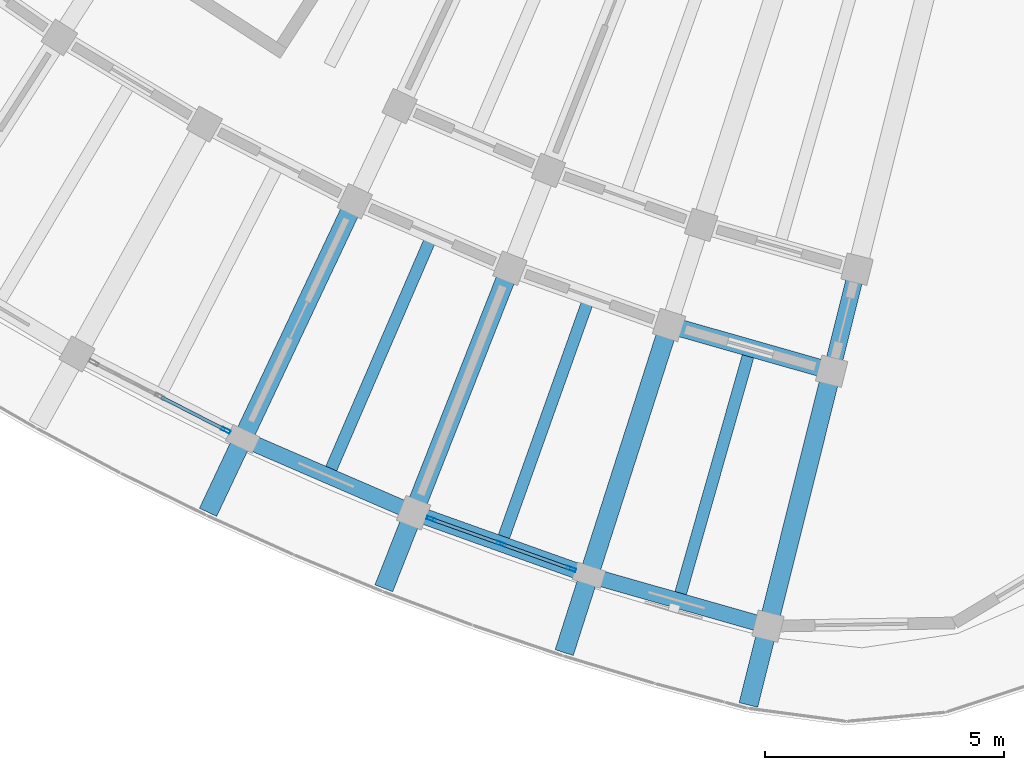
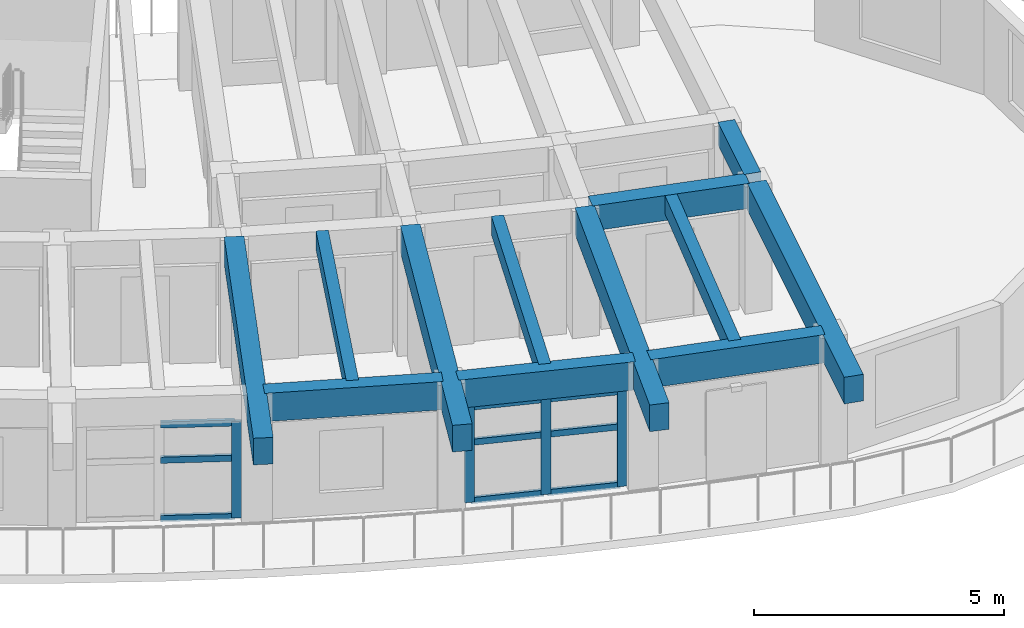
# One storey, part 8 of 96: 13 members, 12 beams, 2 elements without a shape of their own.
"""IFC4 building model written with IfcOpenShell, lengths in metres."""

from ifc_helpers import new_model, si_unit, direction, frame, origin, origin_2d, place, context, subcontext, project, spatial, rectangle, hollow_rectangle, extrude, material, material_profile, profile_set, type_object, element, aggregate, save


model = new_model("IFC4")

# Units and contexts
model_context = context("Model", 3, precision=1e-05, world=origin(), true_north=direction((0.0, 1.0)))
body_context = subcontext(model_context, "Body", "Model", "MODEL_VIEW")
ifc_project = project(units=[si_unit("LENGTHUNIT", "METRE"), si_unit("AREAUNIT", "SQUARE_METRE"), si_unit("VOLUMEUNIT", "CUBIC_METRE"), si_unit("PLANEANGLEUNIT", "RADIAN"), si_unit("MASSUNIT", "GRAM", prefix="KILO")], contexts=[model_context])

# Site, building, storey
site_placement = place(None, origin())
site = spatial("IfcSite", under=ifc_project, at=site_placement, CompositionType="ELEMENT")
building_placement = place(site_placement, origin())
building = spatial("IfcBuilding", under=site, at=building_placement, Name="Tanwirah Colonnade Gardens", CompositionType="ELEMENT")
storey_placement = place(building_placement, frame((0.0, 0.0, 12.199951171875)))
storey = spatial("IfcBuildingStorey", under=building, at=storey_placement, Name="L03", CompositionType="ELEMENT", Elevation=12.199951171875)

# Beams
ifc_material_1 = material(Name="Precast concrete C40/50", Category="concrete")
ifc_material_profile_1 = material_profile(ifc_material_1, rectangle(XDim=0.360107421875, YDim=0.610107421875, at=origin_2d()), Name="PC-BM 360x610")
ifc_profile_set_1 = profile_set([ifc_material_profile_1], Name="Precast concrete C40/50")
beam_type_1 = type_object("IfcBeamType", Name="BM-PC300", PredefinedType="BEAM", material=ifc_profile_set_1)
beam_1_placement = place(storey_placement, frame((48.666259765625, 12.98193359375, 2.800048828125), z_axis=(0.96185623635, -0.273555443366, 0.0), x_axis=(0.273555443366, 0.96185623635, 0.0)))
element("IfcBeam", 1, at=beam_1_placement, inside=storey, type_object=beam_type_1, Name="Block C L03 Circumferential Beam 15-R2", PredefinedType="BEAM", context=body_context, shape_type="SweptSolid", body=[
    extrude(rectangle(XDim=0.360107421875, YDim=0.610107421875, at=origin_2d()), origin(), (0.0, 0.0, 1.0), 3.237060546875),
])
ifc_material_profile_2 = material_profile(ifc_material_1, rectangle(XDim=0.35009765625, YDim=0.550048828125, at=origin_2d()), Name="PC-BM 350x550")
ifc_profile_set_2 = profile_set([ifc_material_profile_2], Name="Precast concrete C40/50")
beam_type_2 = type_object("IfcBeamType", Name="BM-PC350A", PredefinedType="BEAM", material=ifc_profile_set_2)
beam_2_placement = place(storey_placement, frame((52.420166015625, 14.044677734375, 2.830078125), z_axis=(-0.241961122321, -0.970285945114, 0.0), x_axis=(0.970285945114, -0.241961122321, 0.0)))
element("IfcBeam", 2, at=beam_2_placement, inside=storey, type_object=beam_type_2, Name="Block C L03 Corridor Tie Beam 16", PredefinedType="BEAM", context=body_context, shape_type="SweptSolid", body=[
    extrude(rectangle(XDim=0.35009765625, YDim=0.550048828125, at=origin_2d()), origin(), (0.0, 0.0, 1.0), 1.89990234375),
])
ifc_material_2 = material(Name="Precast concrete C45/55", Category="concrete")
ifc_material_profile_3 = material_profile(ifc_material_2, rectangle(XDim=0.39990234375, YDim=0.64990234375, at=origin_2d()), Name="PC-BM 400x650")
ifc_profile_set_3 = profile_set([ifc_material_profile_3], Name="Precast concrete C45/55")
beam_type_3 = type_object("IfcBeamType", Name="BM-PC400", PredefinedType="BEAM", material=ifc_profile_set_3)
for number, where, z_axis, x_axis, name in (
    (3, (41.8798828125, 15.478515625, 2.780029296875), (-0.426567365945, -0.904455793453, 0.0), (0.904455793453, -0.426567365945, 0.0), "Block C L03 Outer Radial Precast Girder 13"),
    (4, (45.1357421875, 14.0712890625, 2.780029296875), (-0.366525426804, -0.930408034953, 0.0), (0.930408034953, -0.366525426804, 0.0), "Block C L03 Outer Radial Precast Girder 14"),
    (5, (48.476318359375, 12.880126953125, 2.780029296875), (-0.304849862001, -0.952400420851, 0.0), (0.952400420851, -0.304849862001, 0.0), "Block C L03 Outer Radial Precast Girder 15"),
    (6, (51.887939453125, 11.909912109375, 2.780029296875), (-0.241924461086, -0.970295086625, 0.0), (0.970295086625, -0.241924461086, 0.0), "Block C L03 Outer Radial Precast Girder 16"),
):
    element("IfcBeam", number, at=place(storey_placement, frame(where, z_axis=z_axis, x_axis=x_axis)), inside=storey, type_object=beam_type_3, Name=name, PredefinedType="BEAM", context=body_context, shape_type="SweptSolid", body=[
        extrude(rectangle(XDim=0.39990234375, YDim=0.64990234375, at=origin_2d()), origin(), (0.0, 0.0, 1.0), 7.050048828125),
    ])

# Curtain wall, member
ifc_material_3 = material(Name="Bronze-anodised aluminium and solar-control low-E glass", Category="aluminium")
curtain_wall_type = type_object("IfcCurtainWallType", Name="CW-LOB", PredefinedType="NOTDEFINED", material=ifc_material_3)
curtain_wall_1_placement = place(storey_placement, origin())
curtain_wall_1 = element("IfcCurtainWall", 7, at=curtain_wall_1_placement, inside=storey, type_object=curtain_wall_type, Name="Curtain Wall CW-C-L03-OUT-12", PredefinedType="NOTDEFINED")
ifc_material_4 = material(Name="Bronze-anodised aluminium", Category="aluminium")
ifc_material_profile_4 = material_profile(ifc_material_4, hollow_rectangle(XDim=0.070068359375, YDim=0.199951171875, WallThickness=0.00390625, at=origin_2d()), Name="CW-MUL 70x200x4")
ifc_profile_set_4 = profile_set([ifc_material_profile_4], Name="Bronze-anodised aluminium")
member_type_1 = type_object("IfcMemberType", Name="CWM-70x200", PredefinedType="MULLION", material=ifc_profile_set_4)
member_1_placement = place(storey_placement, frame((39.246337890625, 10.81982421875, 0.0), z_axis=(0.0, 0.0, 1.0), x_axis=(0.455932978269, 0.890014111869, 0.0)))
member_1 = element("IfcMember", 8, at=member_1_placement, type_object=member_type_1, Name="CW-LOB mullion 3", PredefinedType="MULLION", context=body_context, shape_type="SweptSolid", body=[
    extrude(hollow_rectangle(XDim=0.070068359375, YDim=0.199951171875, WallThickness=0.00390625, at=origin_2d()), origin(), (0.0, 0.0, 1.0), 2.35498046875),
])

# Curtain wall, members
curtain_wall_2_placement = place(storey_placement, origin())
curtain_wall_2 = element("IfcCurtainWall", 9, at=curtain_wall_2_placement, inside=storey, type_object=curtain_wall_type, Name="Curtain Wall CW-C-L03-OUT-14", PredefinedType="NOTDEFINED")
member_2_placement = place(storey_placement, frame((43.546875, 8.9609375, 0.0), z_axis=(0.0, 0.0, 1.0), x_axis=(0.335862164333, 0.941911145793, 0.0)))
member_2 = element("IfcMember", 10, at=member_2_placement, type_object=member_type_1, Name="CW-LOB mullion 1", PredefinedType="MULLION", context=body_context, shape_type="SweptSolid", body=[
    extrude(hollow_rectangle(XDim=0.070068359375, YDim=0.199951171875, WallThickness=0.00390625, at=origin_2d()), origin(), (0.0, 0.0, 1.0), 2.35498046875),
])
member_3_placement = place(storey_placement, frame((45.010009765625, 8.439208984375, 0.0), z_axis=(0.0, 0.0, 1.0), x_axis=(0.335862164333, 0.941911145793, 0.0)))
member_3 = element("IfcMember", 11, at=member_3_placement, type_object=member_type_1, Name="CW-LOB mullion 2", PredefinedType="MULLION", context=body_context, shape_type="SweptSolid", body=[
    extrude(hollow_rectangle(XDim=0.070068359375, YDim=0.199951171875, WallThickness=0.00390625, at=origin_2d()), origin(), (0.0, 0.0, 1.0), 2.35498046875),
])
member_4_placement = place(storey_placement, frame((46.473388671875, 7.91748046875, 0.0), z_axis=(0.0, 0.0, 1.0), x_axis=(0.335862164333, 0.941911145793, 0.0)))
member_4 = element("IfcMember", 12, at=member_4_placement, type_object=member_type_1, Name="CW-LOB mullion 3", PredefinedType="MULLION", context=body_context, shape_type="SweptSolid", body=[
    extrude(hollow_rectangle(XDim=0.070068359375, YDim=0.199951171875, WallThickness=0.00390625, at=origin_2d()), origin(), (0.0, 0.0, 1.0), 2.35498046875),
])

# Member
ifc_material_profile_5 = material_profile(ifc_material_4, hollow_rectangle(XDim=0.070068359375, YDim=0.14990234375, WallThickness=0.00390625, at=origin_2d()), Name="CW-TRN 70x150x4")
ifc_profile_set_5 = profile_set([ifc_material_profile_5], Name="Bronze-anodised aluminium")
member_type_2 = type_object("IfcMemberType", Name="CWT-70x150", PredefinedType="USERDEFINED", material=ifc_profile_set_5)
member_5_placement = place(storey_placement, frame((37.894775390625, 11.51220703125, 0.03515625), z_axis=(0.889973324591, -0.456012589209, 0.0), x_axis=(0.456012589209, 0.889973324591, 0.0)))
member_5 = element("IfcMember", 13, at=member_5_placement, type_object=member_type_2, Name="CW-LOB transom 2.1", ObjectType="TRANSOM", PredefinedType="USERDEFINED", context=body_context, shape_type="SweptSolid", body=[
    extrude(hollow_rectangle(XDim=0.070068359375, YDim=0.14990234375, WallThickness=0.00390625, at=origin_2d()), origin(), (0.0, 0.0, 1.0), 1.483642578125),
])

member_6_placement = place(storey_placement, frame((37.894775390625, 11.51220703125, 1.460205078125), z_axis=(0.889973324591, -0.456012589209, 0.0), x_axis=(0.456012589209, 0.889973324591, 0.0)))
member_6 = element("IfcMember", 14, at=member_6_placement, type_object=member_type_2, Name="CW-LOB transom 2.2", ObjectType="TRANSOM", PredefinedType="USERDEFINED", context=body_context, shape_type="SweptSolid", body=[
    extrude(hollow_rectangle(XDim=0.070068359375, YDim=0.14990234375, WallThickness=0.00390625, at=origin_2d()), origin(), (0.0, 0.0, 1.0), 1.483642578125),
])

member_7_placement = place(storey_placement, frame((37.894775390625, 11.51220703125, 2.320068359375), z_axis=(0.889973324591, -0.456012589209, 0.0), x_axis=(0.456012589209, 0.889973324591, 0.0)))
member_7 = element("IfcMember", 15, at=member_7_placement, type_object=member_type_2, Name="CW-LOB transom 2.3", ObjectType="TRANSOM", PredefinedType="USERDEFINED", context=body_context, shape_type="SweptSolid", body=[
    extrude(hollow_rectangle(XDim=0.070068359375, YDim=0.14990234375, WallThickness=0.00390625, at=origin_2d()), origin(), (0.0, 0.0, 1.0), 1.483642578125),
])

aggregate(curtain_wall_1, [member_1, member_5, member_6, member_7])

member_8_placement = place(storey_placement, frame((43.579833984375, 8.94921875, 0.03515625), z_axis=(0.941894479796, -0.335908899749, 0.0), x_axis=(0.335908899749, 0.941894479796, 0.0)))
member_8 = element("IfcMember", 16, at=member_8_placement, type_object=member_type_2, Name="CW-LOB transom 1.1", ObjectType="TRANSOM", PredefinedType="USERDEFINED", context=body_context, shape_type="SweptSolid", body=[
    extrude(hollow_rectangle(XDim=0.070068359375, YDim=0.14990234375, WallThickness=0.00390625, at=origin_2d()), origin(), (0.0, 0.0, 1.0), 1.4833984375),
])

member_9_placement = place(storey_placement, frame((43.579833984375, 8.94921875, 1.460205078125), z_axis=(0.941894479796, -0.335908899749, 0.0), x_axis=(0.335908899749, 0.941894479796, 0.0)))
member_9 = element("IfcMember", 17, at=member_9_placement, type_object=member_type_2, Name="CW-LOB transom 1.2", ObjectType="TRANSOM", PredefinedType="USERDEFINED", context=body_context, shape_type="SweptSolid", body=[
    extrude(hollow_rectangle(XDim=0.070068359375, YDim=0.14990234375, WallThickness=0.00390625, at=origin_2d()), origin(), (0.0, 0.0, 1.0), 1.4833984375),
])

member_10_placement = place(storey_placement, frame((43.579833984375, 8.94921875, 2.320068359375), z_axis=(0.941894479796, -0.335908899749, 0.0), x_axis=(0.335908899749, 0.941894479796, 0.0)))
member_10 = element("IfcMember", 18, at=member_10_placement, type_object=member_type_2, Name="CW-LOB transom 1.3", ObjectType="TRANSOM", PredefinedType="USERDEFINED", context=body_context, shape_type="SweptSolid", body=[
    extrude(hollow_rectangle(XDim=0.070068359375, YDim=0.14990234375, WallThickness=0.00390625, at=origin_2d()), origin(), (0.0, 0.0, 1.0), 1.4833984375),
])

member_11_placement = place(storey_placement, frame((45.04296875, 8.427490234375, 0.03515625), z_axis=(0.941894479796, -0.335908899749, 0.0), x_axis=(0.335908899749, 0.941894479796, 0.0)))
member_11 = element("IfcMember", 19, at=member_11_placement, type_object=member_type_2, Name="CW-LOB transom 2.1", ObjectType="TRANSOM", PredefinedType="USERDEFINED", context=body_context, shape_type="SweptSolid", body=[
    extrude(hollow_rectangle(XDim=0.070068359375, YDim=0.14990234375, WallThickness=0.00390625, at=origin_2d()), origin(), (0.0, 0.0, 1.0), 1.4833984375),
])

member_12_placement = place(storey_placement, frame((45.04296875, 8.427490234375, 1.460205078125), z_axis=(0.941894479796, -0.335908899749, 0.0), x_axis=(0.335908899749, 0.941894479796, 0.0)))
member_12 = element("IfcMember", 20, at=member_12_placement, type_object=member_type_2, Name="CW-LOB transom 2.2", ObjectType="TRANSOM", PredefinedType="USERDEFINED", context=body_context, shape_type="SweptSolid", body=[
    extrude(hollow_rectangle(XDim=0.070068359375, YDim=0.14990234375, WallThickness=0.00390625, at=origin_2d()), origin(), (0.0, 0.0, 1.0), 1.4833984375),
])

member_13_placement = place(storey_placement, frame((45.04296875, 8.427490234375, 2.320068359375), z_axis=(0.941894479796, -0.335908899749, 0.0), x_axis=(0.335908899749, 0.941894479796, 0.0)))
member_13 = element("IfcMember", 21, at=member_13_placement, type_object=member_type_2, Name="CW-LOB transom 2.3", ObjectType="TRANSOM", PredefinedType="USERDEFINED", context=body_context, shape_type="SweptSolid", body=[
    extrude(hollow_rectangle(XDim=0.070068359375, YDim=0.14990234375, WallThickness=0.00390625, at=origin_2d()), origin(), (0.0, 0.0, 1.0), 1.4833984375),
])

aggregate(curtain_wall_2, [member_2, member_3, member_4, member_8, member_9, member_10, member_11, member_12, member_13])

# Beams
ifc_material_profile_6 = material_profile(ifc_material_1, rectangle(XDim=0.25, YDim=0.449951171875, at=origin_2d()), Name="PC-JST 250x450")
ifc_profile_set_6 = profile_set([ifc_material_profile_6], Name="Precast concrete C40/50")
beam_type_4 = type_object("IfcBeamType", Name="JST-PC250", PredefinedType="JOIST", material=ifc_profile_set_6)
for number, where, z_axis, x_axis, name in (
    (22, (43.50830078125, 14.77587890625, 2.880126953125), (-0.396746282, -0.917928312952, 0.0), (0.917928312952, -0.396746282, 0.0), "Block C L03 Precast Floor Joist 13"),
    (23, (46.806396484375, 13.4765625, 2.880126953125), (-0.335862957845, -0.941910862846, 0.0), (0.941910862846, -0.335862957845, 0.0), "Block C L03 Precast Floor Joist 14"),
    (24, (50.182373046875, 12.39599609375, 2.880126953125), (-0.27352550206, -0.961864751263, 0.0), (0.961864751263, -0.27352550206, 0.0), "Block C L03 Precast Floor Joist 15"),
):
    element("IfcBeam", number, at=place(storey_placement, frame(where, z_axis=z_axis, x_axis=x_axis)), inside=storey, type_object=beam_type_4, Name=name, PredefinedType="JOIST", context=body_context, shape_type="SweptSolid", body=[
        extrude(rectangle(XDim=0.25, YDim=0.449951171875, at=origin_2d()), origin(), (0.0, 0.0, 1.0), 5.260009765625),
    ])
ifc_material_profile_7 = material_profile(ifc_material_1, rectangle(XDim=0.330078125, YDim=0.68994140625, at=origin_2d()), Name="PC-SP 330x690")
ifc_profile_set_7 = profile_set([ifc_material_profile_7], Name="Precast concrete C40/50")
beam_type_5 = type_object("IfcBeamType", Name="SP-PC280", PredefinedType="SPANDREL", material=ifc_profile_set_7)
beam_3_placement = place(storey_placement, frame((39.735595703125, 10.580078125, 2.760009765625), z_axis=(0.917925861765, -0.396751953118, 0.0), x_axis=(0.396751953118, 0.917925861765, 0.0)))
element("IfcBeam", 25, at=beam_3_placement, inside=storey, type_object=beam_type_5, Name="Block C L03 Circumferential Beam 13-R3", PredefinedType="SPANDREL", context=body_context, shape_type="SweptSolid", body=[
    extrude(rectangle(XDim=0.330078125, YDim=0.68994140625, at=origin_2d()), origin(), (0.0, 0.0, 1.0), 3.5966796875),
])
for number, where, z_axis, x_axis, name in (
    (26, (43.316162109375, 9.043212890625, 2.760009765625), (0.941915315404, -0.335850470607, 0.0), (0.335850470607, 0.941915315404, 0.0), "Block C L03 Circumferential Beam 14-R3"),
    (27, (46.989501953125, 7.743896484375, 2.760009765625), (0.96186131547, -0.273537583893, 0.0), (0.273537583893, 0.96186131547, 0.0), "Block C L03 Circumferential Beam 15-R3"),
):
    element("IfcBeam", number, at=place(storey_placement, frame(where, z_axis=z_axis, x_axis=x_axis)), inside=storey, type_object=beam_type_5, Name=name, PredefinedType="SPANDREL", context=body_context, shape_type="SweptSolid", body=[
        extrude(rectangle(XDim=0.330078125, YDim=0.68994140625, at=origin_2d()), origin(), (0.0, 0.0, 1.0), 3.596923828125),
    ])

save(model, "model.ifc")
